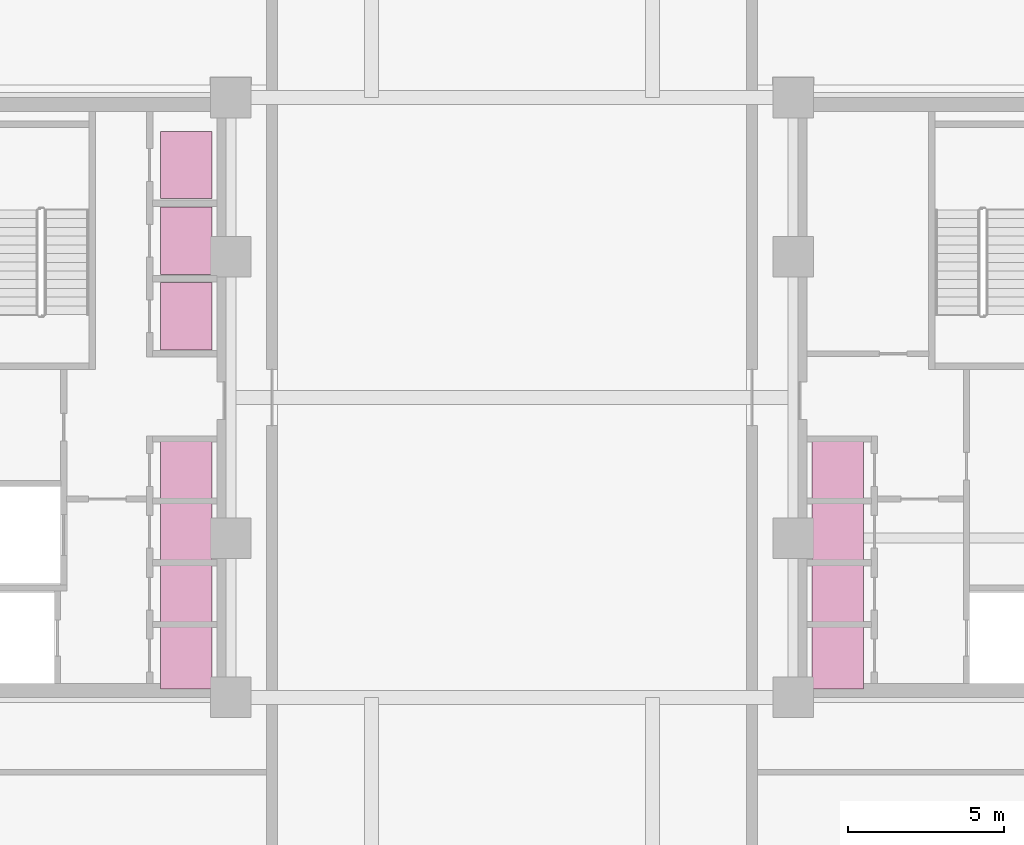
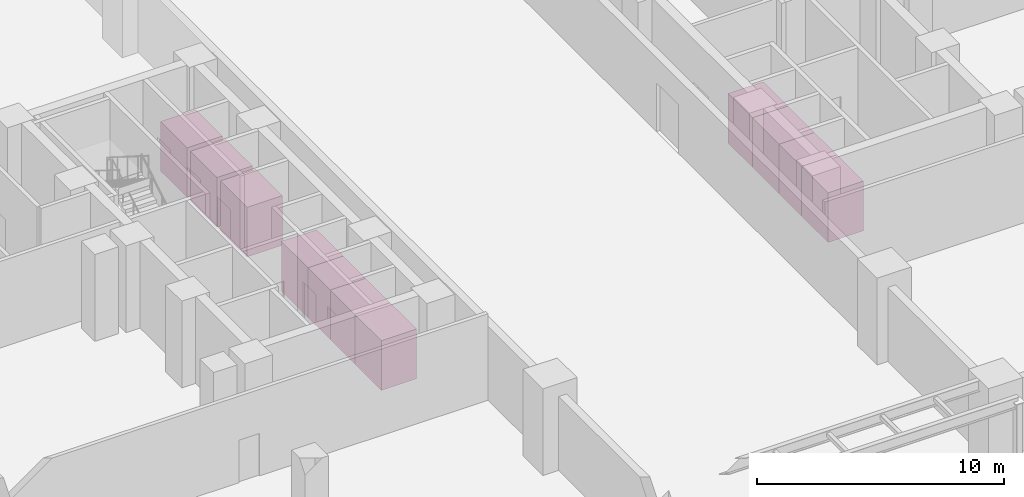
# One storey, part 20 of 20: 11 transport elements.
"""IFC4 building model written with IfcOpenShell, lengths in metres."""

from ifc_helpers import new_model, si_unit, direction, frame, origin, origin_2d, place, context, subcontext, project, spatial, rectangle, extrude, source, transform, mapped, material, type_object, type_shapes, element, save


model = new_model("IFC4")

# Units and contexts
model_context = context("Model", 3, precision=1e-05, world=origin(), true_north=direction((0.0, 1.0)))
body_context = subcontext(model_context, "Body", "Model", "MODEL_VIEW")
ifc_project = project(units=[si_unit("LENGTHUNIT", "METRE"), si_unit("AREAUNIT", "SQUARE_METRE"), si_unit("VOLUMEUNIT", "CUBIC_METRE"), si_unit("PLANEANGLEUNIT", "RADIAN"), si_unit("MASSUNIT", "GRAM", prefix="KILO")], contexts=[model_context])

# Site, building, storey
site_placement = place(None, origin())
site = spatial("IfcSite", under=ifc_project, at=site_placement, CompositionType="ELEMENT")
building_placement = place(site_placement, origin())
building = spatial("IfcBuilding", under=site, at=building_placement, Name="Nuvemarco Arch Tower", CompositionType="ELEMENT")
storey_placement = place(building_placement, origin())
storey = spatial("IfcBuildingStorey", under=building, at=storey_placement, Name="L00", CompositionType="ELEMENT", Elevation=0.0)

# Transport elements
ifc_material = material(Name="Stainless steel lift car", Category="steel")
transport_element_type_1 = type_object("IfcTransportElementType", Name="LFT-PASS-1600-PL-1", PredefinedType="ELEVATOR", material=ifc_material)
shared_shape_1 = source(origin(), body_context, "Body", "SweptSolid", [
    extrude(rectangle(XDim=1.64990234375, YDim=2.14990234375, at=origin_2d()), origin(), (0.0, 0.0, 1.0), 2.449951171875),
])
type_shapes(transport_element_type_1, [shared_shape_1])
transport_element_1_placement = place(storey_placement, frame((-10.425048828125, -8.260009765625, 0.0), z_axis=(0.0, 0.0, 1.0), x_axis=(1.0, 0.0, 0.0)))
element("IfcTransportElement", 1, at=transport_element_1_placement, inside=storey, type_object=transport_element_type_1, Name="Passenger lift PL-1", PredefinedType="ELEVATOR", context=body_context, shape_type="MappedRepresentation", body=[
    mapped(shared_shape_1, transform((0.0, 0.0, 0.0), scale=1.0)),
])
transport_element_type_2 = type_object("IfcTransportElementType", Name="LFT-PASS-1600-PL-2", PredefinedType="ELEVATOR", material=ifc_material)
shared_shape_2 = source(origin(), body_context, "Body", "SweptSolid", [
    extrude(rectangle(XDim=1.64990234375, YDim=2.14990234375, at=origin_2d()), origin(), (0.0, 0.0, 1.0), 2.449951171875),
])
type_shapes(transport_element_type_2, [shared_shape_2])
transport_element_2_placement = place(storey_placement, frame((-10.425048828125, -6.280029296875, 0.0), z_axis=(0.0, 0.0, 1.0), x_axis=(1.0, 0.0, 0.0)))
element("IfcTransportElement", 2, at=transport_element_2_placement, inside=storey, type_object=transport_element_type_2, Name="Passenger lift PL-2", PredefinedType="ELEVATOR", context=body_context, shape_type="MappedRepresentation", body=[
    mapped(shared_shape_2, transform((0.0, 0.0, 0.0), scale=1.0)),
])
transport_element_type_3 = type_object("IfcTransportElementType", Name="LFT-PASS-1600-PL-3", PredefinedType="ELEVATOR", material=ifc_material)
shared_shape_3 = source(origin(), body_context, "Body", "SweptSolid", [
    extrude(rectangle(XDim=1.64990234375, YDim=2.14990234375, at=origin_2d()), origin(), (0.0, 0.0, 1.0), 2.449951171875),
])
type_shapes(transport_element_type_3, [shared_shape_3])
transport_element_3_placement = place(storey_placement, frame((-10.425048828125, -4.300048828125, 0.0), z_axis=(0.0, 0.0, 1.0), x_axis=(1.0, 0.0, 0.0)))
element("IfcTransportElement", 3, at=transport_element_3_placement, inside=storey, type_object=transport_element_type_3, Name="Passenger lift PL-3", PredefinedType="ELEVATOR", context=body_context, shape_type="MappedRepresentation", body=[
    mapped(shared_shape_3, transform((0.0, 0.0, 0.0), scale=1.0)),
])
transport_element_type_4 = type_object("IfcTransportElementType", Name="LFT-PASS-1600-PL-4", PredefinedType="ELEVATOR", material=ifc_material)
shared_shape_4 = source(origin(), body_context, "Body", "SweptSolid", [
    extrude(rectangle(XDim=1.64990234375, YDim=2.14990234375, at=origin_2d()), origin(), (0.0, 0.0, 1.0), 2.449951171875),
])
type_shapes(transport_element_type_4, [shared_shape_4])
transport_element_4_placement = place(storey_placement, frame((-10.425048828125, -2.320068359375, 0.0), z_axis=(0.0, 0.0, 1.0), x_axis=(1.0, 0.0, 0.0)))
element("IfcTransportElement", 4, at=transport_element_4_placement, inside=storey, type_object=transport_element_type_4, Name="Passenger lift PL-4", PredefinedType="ELEVATOR", context=body_context, shape_type="MappedRepresentation", body=[
    mapped(shared_shape_4, transform((0.0, 0.0, 0.0), scale=1.0)),
])
transport_element_type_5 = type_object("IfcTransportElementType", Name="LFT-PASS-1600-PH-1", PredefinedType="ELEVATOR", material=ifc_material)
shared_shape_5 = source(origin(), body_context, "Body", "SweptSolid", [
    extrude(rectangle(XDim=1.64990234375, YDim=2.14990234375, at=origin_2d()), origin(), (0.0, 0.0, 1.0), 2.449951171875),
])
type_shapes(transport_element_type_5, [shared_shape_5])
transport_element_5_placement = place(storey_placement, frame((-10.425048828125, 2.60009765625, 0.0), z_axis=(0.0, 0.0, 1.0), x_axis=(1.0, 0.0, 0.0)))
element("IfcTransportElement", 5, at=transport_element_5_placement, inside=storey, type_object=transport_element_type_5, Name="Passenger lift PH-1", PredefinedType="ELEVATOR", context=body_context, shape_type="MappedRepresentation", body=[
    mapped(shared_shape_5, transform((0.0, 0.0, 0.0), scale=1.0)),
])
transport_element_type_6 = type_object("IfcTransportElementType", Name="LFT-PASS-1600-PH-2", PredefinedType="ELEVATOR", material=ifc_material)
shared_shape_6 = source(origin(), body_context, "Body", "SweptSolid", [
    extrude(rectangle(XDim=1.64990234375, YDim=2.14990234375, at=origin_2d()), origin(), (0.0, 0.0, 1.0), 2.449951171875),
])
type_shapes(transport_element_type_6, [shared_shape_6])
transport_element_6_placement = place(storey_placement, frame((-10.425048828125, 5.02001953125, 0.0), z_axis=(0.0, 0.0, 1.0), x_axis=(1.0, 0.0, 0.0)))
element("IfcTransportElement", 6, at=transport_element_6_placement, inside=storey, type_object=transport_element_type_6, Name="Passenger lift PH-2", PredefinedType="ELEVATOR", context=body_context, shape_type="MappedRepresentation", body=[
    mapped(shared_shape_6, transform((0.0, 0.0, 0.0), scale=1.0)),
])
transport_element_type_7 = type_object("IfcTransportElementType", Name="LFT-PASS-1600-PH-3", PredefinedType="ELEVATOR", material=ifc_material)
shared_shape_7 = source(origin(), body_context, "Body", "SweptSolid", [
    extrude(rectangle(XDim=1.64990234375, YDim=2.14990234375, at=origin_2d()), origin(), (0.0, 0.0, 1.0), 2.449951171875),
])
type_shapes(transport_element_type_7, [shared_shape_7])
transport_element_7_placement = place(storey_placement, frame((-10.425048828125, 7.43994140625, 0.0), z_axis=(0.0, 0.0, 1.0), x_axis=(1.0, 0.0, 0.0)))
element("IfcTransportElement", 7, at=transport_element_7_placement, inside=storey, type_object=transport_element_type_7, Name="Passenger lift PH-3", PredefinedType="ELEVATOR", context=body_context, shape_type="MappedRepresentation", body=[
    mapped(shared_shape_7, transform((0.0, 0.0, 0.0), scale=1.0)),
])
transport_element_type_8 = type_object("IfcTransportElementType", Name="LFT-PASS-1600-PM-1", PredefinedType="ELEVATOR", material=ifc_material)
shared_shape_8 = source(origin(), body_context, "Body", "SweptSolid", [
    extrude(rectangle(XDim=1.64990234375, YDim=2.14990234375, at=origin_2d()), origin(), (0.0, 0.0, 1.0), 2.449951171875),
])
type_shapes(transport_element_type_8, [shared_shape_8])
transport_element_8_placement = place(storey_placement, frame((10.425048828125, -8.260009765625, 0.0), z_axis=(0.0, 0.0, 1.0), x_axis=(1.0, 0.0, 0.0)))
element("IfcTransportElement", 8, at=transport_element_8_placement, inside=storey, type_object=transport_element_type_8, Name="Passenger lift PM-1", PredefinedType="ELEVATOR", context=body_context, shape_type="MappedRepresentation", body=[
    mapped(shared_shape_8, transform((0.0, 0.0, 0.0), scale=1.0)),
])
transport_element_type_9 = type_object("IfcTransportElementType", Name="LFT-PASS-1600-PM-2", PredefinedType="ELEVATOR", material=ifc_material)
shared_shape_9 = source(origin(), body_context, "Body", "SweptSolid", [
    extrude(rectangle(XDim=1.64990234375, YDim=2.14990234375, at=origin_2d()), origin(), (0.0, 0.0, 1.0), 2.449951171875),
])
type_shapes(transport_element_type_9, [shared_shape_9])
transport_element_9_placement = place(storey_placement, frame((10.425048828125, -6.280029296875, 0.0), z_axis=(0.0, 0.0, 1.0), x_axis=(1.0, 0.0, 0.0)))
element("IfcTransportElement", 9, at=transport_element_9_placement, inside=storey, type_object=transport_element_type_9, Name="Passenger lift PM-2", PredefinedType="ELEVATOR", context=body_context, shape_type="MappedRepresentation", body=[
    mapped(shared_shape_9, transform((0.0, 0.0, 0.0), scale=1.0)),
])
transport_element_type_10 = type_object("IfcTransportElementType", Name="LFT-PASS-1600-PM-3", PredefinedType="ELEVATOR", material=ifc_material)
shared_shape_10 = source(origin(), body_context, "Body", "SweptSolid", [
    extrude(rectangle(XDim=1.64990234375, YDim=2.14990234375, at=origin_2d()), origin(), (0.0, 0.0, 1.0), 2.449951171875),
])
type_shapes(transport_element_type_10, [shared_shape_10])
transport_element_10_placement = place(storey_placement, frame((10.425048828125, -4.300048828125, 0.0), z_axis=(0.0, 0.0, 1.0), x_axis=(1.0, 0.0, 0.0)))
element("IfcTransportElement", 10, at=transport_element_10_placement, inside=storey, type_object=transport_element_type_10, Name="Passenger lift PM-3", PredefinedType="ELEVATOR", context=body_context, shape_type="MappedRepresentation", body=[
    mapped(shared_shape_10, transform((0.0, 0.0, 0.0), scale=1.0)),
])
transport_element_type_11 = type_object("IfcTransportElementType", Name="LFT-PASS-1600-PM-4", PredefinedType="ELEVATOR", material=ifc_material)
shared_shape_11 = source(origin(), body_context, "Body", "SweptSolid", [
    extrude(rectangle(XDim=1.64990234375, YDim=2.14990234375, at=origin_2d()), origin(), (0.0, 0.0, 1.0), 2.449951171875),
])
type_shapes(transport_element_type_11, [shared_shape_11])
transport_element_11_placement = place(storey_placement, frame((10.425048828125, -2.320068359375, 0.0), z_axis=(0.0, 0.0, 1.0), x_axis=(1.0, 0.0, 0.0)))
element("IfcTransportElement", 11, at=transport_element_11_placement, inside=storey, type_object=transport_element_type_11, Name="Passenger lift PM-4", PredefinedType="ELEVATOR", context=body_context, shape_type="MappedRepresentation", body=[
    mapped(shared_shape_11, transform((0.0, 0.0, 0.0), scale=1.0)),
])

save(model, "model.ifc")
